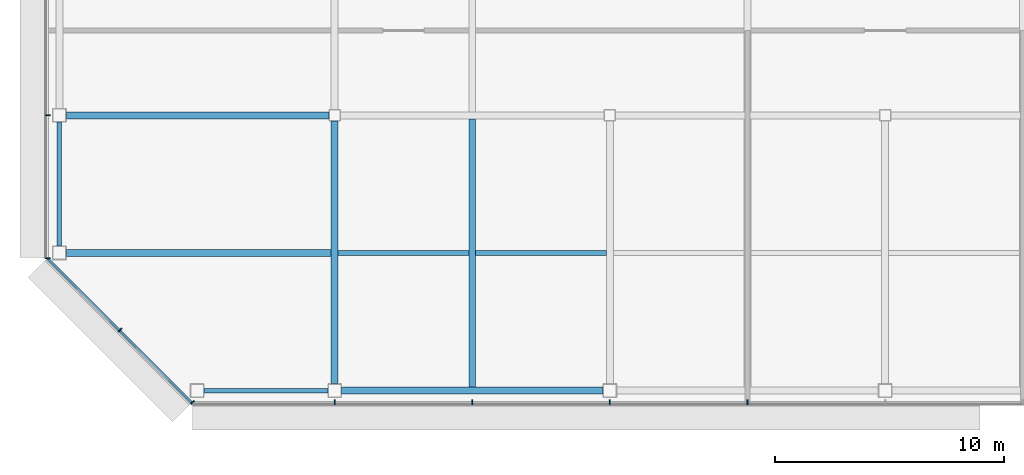
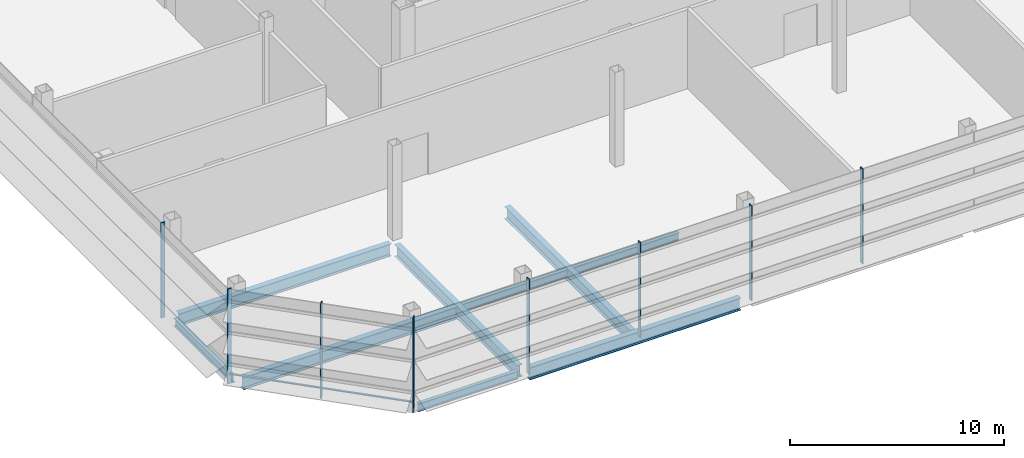
# One storey, part 3 of 26: 9 beams, 9 members, 3 elements without a shape of their own.
"""IFC4 building model written with IfcOpenShell, lengths in metres."""

from ifc_helpers import new_model, si_unit, direction, frame, origin, origin_2d, place, context, subcontext, project, spatial, rectangle, i_section, extrude, material, material_profile, profile_set, type_object, element, aggregate, save


model = new_model("IFC4")

# Units and contexts
model_context = context("Model", 3, precision=1e-05, world=origin(), true_north=direction((0.0, 1.0)))
body_context = subcontext(model_context, "Body", "Model", "MODEL_VIEW")
ifc_project = project(units=[si_unit("LENGTHUNIT", "METRE"), si_unit("AREAUNIT", "SQUARE_METRE"), si_unit("VOLUMEUNIT", "CUBIC_METRE"), si_unit("PLANEANGLEUNIT", "RADIAN"), si_unit("MASSUNIT", "GRAM", prefix="KILO")], contexts=[model_context])

# Site, building, storey
site_placement = place(None, origin())
site = spatial("IfcSite", under=ifc_project, at=site_placement, CompositionType="ELEMENT")
building_placement = place(site_placement, origin())
building = spatial("IfcBuilding", under=site, at=building_placement, Name="Sorahane Residences", CompositionType="ELEMENT")
storey_placement = place(building_placement, frame((0.0, 0.0, 257.60009765625)))
storey = spatial("IfcBuildingStorey", under=building, at=storey_placement, Name="L61", CompositionType="ELEMENT", Elevation=257.60009765625)

# Curtain wall, members
ifc_material_1 = material(Name="Dark low-e glass and black anodised aluminium", Category="aluminium")
curtain_wall_type = type_object("IfcCurtainWallType", Name="Curtain wall CW-4 Sky floor frameless wall", PredefinedType="NOTDEFINED", material=ifc_material_1)
curtain_wall_1_placement = place(storey_placement, origin())
curtain_wall_1 = element("IfcCurtainWall", 1, at=curtain_wall_1_placement, inside=storey, type_object=curtain_wall_type, Name="CW-4 curtain wall L61 S1", PredefinedType="NOTDEFINED")
ifc_material_2 = material(Name="Black anodised aluminium", Category="aluminium")
ifc_material_profile_1 = material_profile(ifc_material_2, rectangle(XDim=0.219970703125, YDim=0.050048828125, at=origin_2d()), Name="Curtain wall mullion CW-4 black anodised aluminium 50x220")
ifc_profile_set_1 = profile_set([ifc_material_profile_1], Name="Black anodised aluminium")
member_type_1 = type_object("IfcMemberType", Name="Curtain wall mullion CW-4 black anodised aluminium 50x220", PredefinedType="MULLION", material=ifc_profile_set_1)
member_1_placement = place(storey_placement, frame((0.0, -0.510009765625, -0.22021484375), z_axis=(0.0, 0.0, 1.0), x_axis=(0.0, -1.0, 0.0)))
member_1 = element("IfcMember", 2, at=member_1_placement, type_object=member_type_1, Name="CW-4 mullion L61 S1.2", PredefinedType="MULLION", context=body_context, shape_type="SweptSolid", body=[
    extrude(rectangle(XDim=0.219970703125, YDim=0.050048828125, at=origin_2d()), origin(), (0.0, 0.0, 1.0), 5.440185546875),
])
member_2_placement = place(storey_placement, frame((6.0, -0.510009765625, -0.22021484375), z_axis=(0.0, 0.0, 1.0), x_axis=(0.0, -1.0, 0.0)))
member_2 = element("IfcMember", 3, at=member_2_placement, type_object=member_type_1, Name="CW-4 mullion L61 S1.3", PredefinedType="MULLION", context=body_context, shape_type="SweptSolid", body=[
    extrude(rectangle(XDim=0.219970703125, YDim=0.050048828125, at=origin_2d()), origin(), (0.0, 0.0, 1.0), 5.440185546875),
])
member_3_placement = place(storey_placement, frame((12.0, -0.510009765625, -0.22021484375), z_axis=(0.0, 0.0, 1.0), x_axis=(0.0, -1.0, 0.0)))
member_3 = element("IfcMember", 4, at=member_3_placement, type_object=member_type_1, Name="CW-4 mullion L61 S1.4", PredefinedType="MULLION", context=body_context, shape_type="SweptSolid", body=[
    extrude(rectangle(XDim=0.219970703125, YDim=0.050048828125, at=origin_2d()), origin(), (0.0, 0.0, 1.0), 5.440185546875),
])
member_4_placement = place(storey_placement, frame((18.0, -0.510009765625, -0.22021484375), z_axis=(0.0, 0.0, 1.0), x_axis=(0.0, -1.0, 0.0)))
member_4 = element("IfcMember", 5, at=member_4_placement, type_object=member_type_1, Name="CW-4 mullion L61 S1.5", PredefinedType="MULLION", context=body_context, shape_type="SweptSolid", body=[
    extrude(rectangle(XDim=0.219970703125, YDim=0.050048828125, at=origin_2d()), origin(), (0.0, 0.0, 1.0), 5.440185546875),
])
aggregate(curtain_wall_1, [member_1, member_2, member_3, member_4])

curtain_wall_2_placement = place(storey_placement, origin())
curtain_wall_2 = element("IfcCurtainWall", 6, at=curtain_wall_2_placement, inside=storey, type_object=curtain_wall_type, Name="CW-4 curtain wall L61 W1", PredefinedType="NOTDEFINED")
member_5_placement = place(storey_placement, frame((-12.510009765625, 12.0, -0.22021484375), z_axis=(0.0, 0.0, 1.0), x_axis=(-1.0, 0.0, 0.0)))
member_5 = element("IfcMember", 7, at=member_5_placement, type_object=member_type_1, Name="CW-4 mullion L61 W1.6", PredefinedType="MULLION", context=body_context, shape_type="SweptSolid", body=[
    extrude(rectangle(XDim=0.219970703125, YDim=0.050048828125, at=origin_2d()), origin(), (0.0, 0.0, 1.0), 5.440185546875),
])
member_6_placement = place(storey_placement, frame((-12.510009765625, 5.7763671875, -0.22021484375), z_axis=(0.0, 0.0, 1.0), x_axis=(-1.0, 0.0, 0.0)))
member_6 = element("IfcMember", 8, at=member_6_placement, type_object=member_type_1, Name="CW-4 mullion L61 W1.7", PredefinedType="MULLION", context=body_context, shape_type="SweptSolid", body=[
    extrude(rectangle(XDim=0.219970703125, YDim=0.050048828125, at=origin_2d()), origin(), (0.0, 0.0, 1.0), 5.440185546875),
])
aggregate(curtain_wall_2, [member_5, member_6])

curtain_wall_3_placement = place(storey_placement, origin())
curtain_wall_3 = element("IfcCurtainWall", 9, at=curtain_wall_3_placement, inside=storey, type_object=curtain_wall_type, Name="CW-4 curtain wall L61 SW1", PredefinedType="NOTDEFINED")
member_7_placement = place(storey_placement, frame((-9.360595703125, 2.639404296875, -0.22021484375), z_axis=(0.0, 0.0, 1.0), x_axis=(-0.707106781187, -0.707106781187, 0.0)))
member_7 = element("IfcMember", 10, at=member_7_placement, type_object=member_type_1, Name="CW-4 mullion L61 SW1.2", PredefinedType="MULLION", context=body_context, shape_type="SweptSolid", body=[
    extrude(rectangle(XDim=0.219970703125, YDim=0.050048828125, at=origin_2d()), origin(), (0.0, 0.0, 1.0), 5.440185546875),
])
member_8_placement = place(storey_placement, frame((-6.20263671875, -0.518798828125, -0.22021484375), z_axis=(0.0, 0.0, 1.0), x_axis=(-0.707106781187, -0.707106781187, 0.0)))
member_8 = element("IfcMember", 11, at=member_8_placement, type_object=member_type_1, Name="CW-4 mullion L61 SW1.3", PredefinedType="MULLION", context=body_context, shape_type="SweptSolid", body=[
    extrude(rectangle(XDim=0.219970703125, YDim=0.050048828125, at=origin_2d()), origin(), (0.0, 0.0, 1.0), 5.440185546875),
])
ifc_material_3 = material(Name="Black anodised aluminium", Category="aluminium")
ifc_material_profile_2 = material_profile(ifc_material_3, rectangle(XDim=0.10009765625, YDim=0.06005859375, at=origin_2d()), Name="Curtain wall transom CW-4 black anodised aluminium 60x100")
ifc_profile_set_2 = profile_set([ifc_material_profile_2], Name="Black anodised aluminium")
member_type_2 = type_object("IfcMemberType", Name="Curtain wall transom CW-4 black anodised aluminium 60x100", PredefinedType="USERDEFINED", material=ifc_profile_set_2)
member_9_placement = place(storey_placement, frame((-12.51513671875, 5.765625, 0.349853515625), z_axis=(0.707106781187, -0.707106781187, 0.0), x_axis=(0.707106781187, 0.707106781187, 0.0)))
member_9 = element("IfcMember", 12, at=member_9_placement, type_object=member_type_2, Name="CW-4 transom L61 SW1", ObjectType="TRANSOM", PredefinedType="USERDEFINED", context=body_context, shape_type="SweptSolid", body=[
    extrude(rectangle(XDim=0.10009765625, YDim=0.06005859375, at=origin_2d()), origin(), (0.0, 0.0, 1.0), 8.88232421875),
])
aggregate(curtain_wall_3, [member_7, member_8, member_9])

# Beams
ifc_material_4 = material(Name="Steel Q355B", Category="steel")
ifc_material_profile_3 = material_profile(ifc_material_4, i_section(OverallWidth=0.199951171875, OverallDepth=0.449951171875, WebThickness=0.009033203125, FlangeThickness=0.013916015625, FilletRadius=0.02001953125, at=origin_2d()), Name="HN 450x200x9x14")
ifc_profile_set_3 = profile_set([ifc_material_profile_3], Name="Steel Q355B")
beam_type_1 = type_object("IfcBeamType", Name="Steel floor beam HN 450x200x9x14 Q355B", PredefinedType="BEAM", material=ifc_profile_set_3)
for number, where, z_axis, x_axis, name in (
    (13, (-5.699951171875, 0.0, -0.445068359375), (1.0, 0.0, 0.0), (0.0, 1.0, 0.0), "Beam L61 000"),
    (14, (-12.0, 6.300048828125, -0.445068359375), (0.0, 1.0, 0.0), (-1.0, 0.0, 0.0), "Beam L61 020"),
):
    element("IfcBeam", number, at=place(storey_placement, frame(where, z_axis=z_axis, x_axis=x_axis)), inside=storey, type_object=beam_type_1, Name=name, PredefinedType="BEAM", context=body_context, shape_type="SweptSolid", body=[
        extrude(i_section(OverallWidth=0.199951171875, OverallDepth=0.449951171875, WebThickness=0.009033203125, FlangeThickness=0.013916015625, FilletRadius=0.02001953125, at=origin_2d()), origin(), (0.0, 0.0, 1.0), 5.39990234375),
    ])
for number, where, z_axis, x_axis, name in (
    (15, (0.14990234375, 6.0, -0.445068359375), (1.0, 0.0, 0.0), (0.0, 1.0, 0.0), "Beam L61 069"),
    (16, (6.14990234375, 6.0, -0.445068359375), (1.0, 0.0, 0.0), (0.0, 1.0, 0.0), "Beam L61 070"),
):
    element("IfcBeam", number, at=place(storey_placement, frame(where, z_axis=z_axis, x_axis=x_axis)), inside=storey, type_object=beam_type_1, Name=name, PredefinedType="BEAM", context=body_context, shape_type="SweptSolid", body=[
        extrude(i_section(OverallWidth=0.199951171875, OverallDepth=0.449951171875, WebThickness=0.009033203125, FlangeThickness=0.013916015625, FilletRadius=0.02001953125, at=origin_2d()), origin(), (0.0, 0.0, 1.0), 5.7001953125),
    ])
ifc_material_5 = material(Name="Steel Q355B", Category="steel")
ifc_material_profile_4 = material_profile(ifc_material_5, i_section(OverallWidth=0.300048828125, OverallDepth=0.699951171875, WebThickness=0.012939453125, FlangeThickness=0.02392578125, FilletRadius=0.028076171875, at=origin_2d()), Name="HN 700x300x13x24")
ifc_profile_set_4 = profile_set([ifc_material_profile_4], Name="Steel Q355B")
beam_type_2 = type_object("IfcBeamType", Name="Steel floor beam HN 700x300x13x24 Q355B", PredefinedType="BEAM", material=ifc_profile_set_4)
beam_1_placement = place(storey_placement, frame((0.300048828125, 0.0, -0.570068359375), z_axis=(1.0, 0.0, 0.0), x_axis=(0.0, 1.0, 0.0)))
element("IfcBeam", 17, at=beam_1_placement, inside=storey, type_object=beam_type_2, Name="Beam L61 001", PredefinedType="BEAM", context=body_context, shape_type="SweptSolid", body=[
    extrude(i_section(OverallWidth=0.300048828125, OverallDepth=0.699951171875, WebThickness=0.012939453125, FlangeThickness=0.02392578125, FilletRadius=0.028076171875, at=origin_2d()), origin(), (0.0, 0.0, 1.0), 11.39990234375),
])
for number, where, z_axis, x_axis, name in (
    (18, (-11.699951171875, 12.0, -0.570068359375), (1.0, 0.0, 0.0), (0.0, 1.0, 0.0), "Beam L61 005"),
    (19, (0.0, 0.300048828125, -0.570068359375), (0.0, 1.0, 0.0), (-1.0, 0.0, 0.0), "Beam L61 024"),
):
    element("IfcBeam", number, at=place(storey_placement, frame(where, z_axis=z_axis, x_axis=x_axis)), inside=storey, type_object=beam_type_2, Name=name, PredefinedType="BEAM", context=body_context, shape_type="SweptSolid", body=[
        extrude(i_section(OverallWidth=0.300048828125, OverallDepth=0.699951171875, WebThickness=0.012939453125, FlangeThickness=0.02392578125, FilletRadius=0.028076171875, at=origin_2d()), origin(), (0.0, 0.0, 1.0), 11.449951171875),
    ])
beam_2_placement = place(storey_placement, frame((6.0, 0.14990234375, -0.570068359375), z_axis=(0.0, 1.0, 0.0), x_axis=(-1.0, 0.0, 0.0)))
element("IfcBeam", 20, at=beam_2_placement, inside=storey, type_object=beam_type_2, Name="Beam L61 028", PredefinedType="BEAM", context=body_context, shape_type="SweptSolid", body=[
    extrude(i_section(OverallWidth=0.300048828125, OverallDepth=0.699951171875, WebThickness=0.012939453125, FlangeThickness=0.02392578125, FilletRadius=0.028076171875, at=origin_2d()), origin(), (0.0, 0.0, 1.0), 11.7001953125),
])
beam_3_placement = place(storey_placement, frame((-11.699951171875, 6.0, -0.570068359375), z_axis=(1.0, 0.0, 0.0), x_axis=(0.0, 1.0, 0.0)))
element("IfcBeam", 21, at=beam_3_placement, inside=storey, type_object=beam_type_2, Name="Beam L61 068", PredefinedType="BEAM", context=body_context, shape_type="SweptSolid", body=[
    extrude(i_section(OverallWidth=0.300048828125, OverallDepth=0.699951171875, WebThickness=0.012939453125, FlangeThickness=0.02392578125, FilletRadius=0.028076171875, at=origin_2d()), origin(), (0.0, 0.0, 1.0), 11.550048828125),
])

save(model, "model.ifc")
